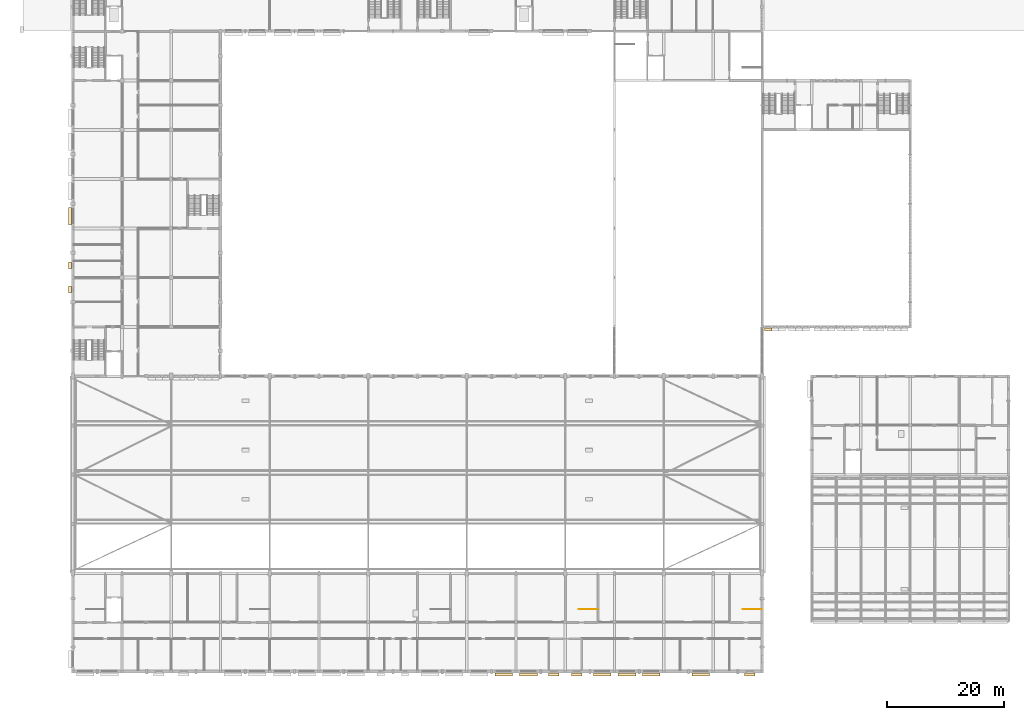
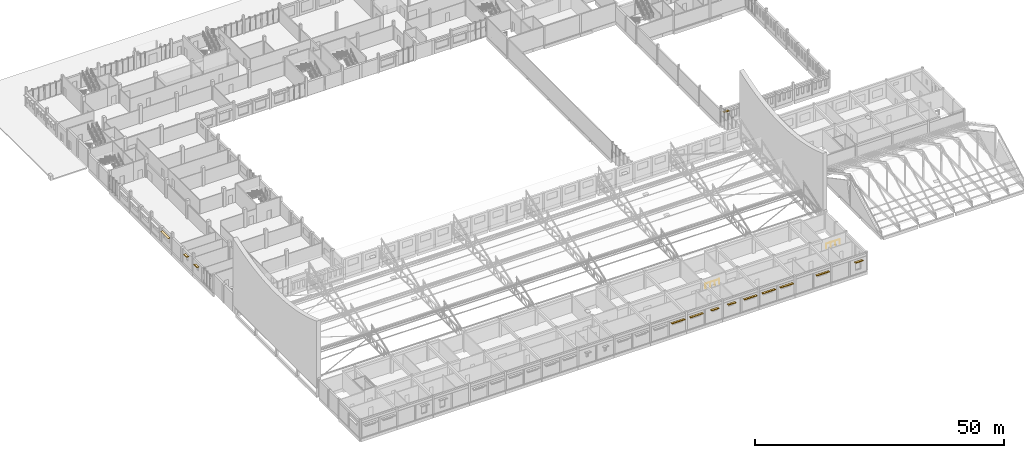
# One storey, part 94 of 101: 13 coverings, 2 railings.
"""IFC4 building model written with IfcOpenShell, lengths in metres."""

from ifc_helpers import new_model, si_unit, direction, frame, origin, origin_2d, place, context, subcontext, project, spatial, rectangle, circle, extrude, material, layer, layer_set, type_object, element, save


model = new_model("IFC4")

# Units and contexts
model_context = context("Model", 3, precision=1e-05, world=origin(), true_north=direction((0.0, 1.0)))
body_context = subcontext(model_context, "Body", "Model", "MODEL_VIEW")
ifc_project = project(units=[si_unit("LENGTHUNIT", "METRE"), si_unit("AREAUNIT", "SQUARE_METRE"), si_unit("VOLUMEUNIT", "CUBIC_METRE"), si_unit("PLANEANGLEUNIT", "RADIAN"), si_unit("MASSUNIT", "GRAM", prefix="KILO")], contexts=[model_context])

# Site, building, storey
site_placement = place(None, origin())
site = spatial("IfcSite", under=ifc_project, at=site_placement, CompositionType="ELEMENT")
building_placement = place(site_placement, origin())
building = spatial("IfcBuilding", under=site, at=building_placement, Name="Fescue Hill Polytechnic", CompositionType="ELEMENT")
storey_placement = place(building_placement, frame((0.0, 0.0, 9.0)))
storey = spatial("IfcBuildingStorey", under=building, at=storey_placement, Name="L02", CompositionType="ELEMENT", Elevation=9.0)

# Coverings
ifc_material_1 = material(Name="Precast concrete C40/50", Category="concrete")
ifc_layer = layer(ifc_material_1, 0.080078125)
ifc_layer_set = layer_set([ifc_layer], Name="Precast concrete C40/50")
covering_type = type_object("IfcCoveringType", Name="Shade blade precast 500x80", PredefinedType="CLADDING", material=ifc_layer_set)
for number, where, z_axis, x_axis, name in (
    (1, (73.47509765625, -0.489990234375, 3.050048828125), (0.0, 0.0, 1.0), (1.0, 0.0, 0.0), "SB-L02-V1-17"),
    (2, (77.72509765625, -0.489990234375, 3.050048828125), (0.0, 0.0, 1.0), (1.0, 0.0, 0.0), "SB-L02-V1-18"),
):
    element("IfcCovering", number, at=place(storey_placement, frame(where, z_axis=z_axis, x_axis=x_axis)), inside=storey, type_object=covering_type, Name=name, PredefinedType="CLADDING", context=body_context, shape_type="SweptSolid", body=[
        extrude(rectangle(XDim=3.0, YDim=0.5, at=origin_2d()), origin(), (0.0, 0.0, 1.0), 0.080078125),
    ])
for number, where, z_axis, x_axis, name in (
    (3, (82.050048828125, -0.489990234375, 3.050048828125), (0.0, 0.0, 1.0), (1.0, 0.0, 0.0), "SB-L02-V1-19"),
    (4, (85.949951171875, -0.489990234375, 3.050048828125), (0.0, 0.0, 1.0), (1.0, 0.0, 0.0), "SB-L02-V1-20"),
):
    element("IfcCovering", number, at=place(storey_placement, frame(where, z_axis=z_axis, x_axis=x_axis)), inside=storey, type_object=covering_type, Name=name, PredefinedType="CLADDING", context=body_context, shape_type="SweptSolid", body=[
        extrude(rectangle(XDim=1.800048828125, YDim=0.5, at=origin_2d()), origin(), (0.0, 0.0, 1.0), 0.080078125),
    ])
for number, where, z_axis, x_axis, name in (
    (5, (90.27490234375, -0.489990234375, 3.050048828125), (0.0, 0.0, 1.0), (1.0, 0.0, 0.0), "SB-L02-V1-21"),
    (6, (94.52490234375, -0.489990234375, 3.050048828125), (0.0, 0.0, 1.0), (1.0, 0.0, 0.0), "SB-L02-V1-22"),
    (7, (98.675048828125, -0.489990234375, 3.050048828125), (0.0, 0.0, 1.0), (1.0, 0.0, 0.0), "SB-L02-V1-23"),
    (8, (107.074951171875, -0.489990234375, 3.050048828125), (0.0, 0.0, 1.0), (1.0, 0.0, 0.0), "SB-L02-V1-24"),
):
    element("IfcCovering", number, at=place(storey_placement, frame(where, z_axis=z_axis, x_axis=x_axis)), inside=storey, type_object=covering_type, Name=name, PredefinedType="CLADDING", context=body_context, shape_type="SweptSolid", body=[
        extrude(rectangle(XDim=3.0, YDim=0.5, at=origin_2d()), origin(), (0.0, 0.0, 1.0), 0.080078125),
    ])
covering_1_placement = place(storey_placement, frame((115.47509765625, -0.489990234375, 3.050048828125), z_axis=(0.0, 0.0, 1.0), x_axis=(1.0, 0.0, 0.0)))
element("IfcCovering", 9, at=covering_1_placement, inside=storey, type_object=covering_type, Name="SB-L02-V1-25", PredefinedType="CLADDING", context=body_context, shape_type="SweptSolid", body=[
    extrude(rectangle(XDim=1.800048828125, YDim=0.5, at=origin_2d()), origin(), (0.0, 0.0, 1.0), 0.080078125),
])
covering_2_placement = place(storey_placement, frame((-0.43994140625, 77.66259765625, 2.75), z_axis=(0.0, 0.0, 1.0), x_axis=(0.0, -1.0, 0.0)))
element("IfcCovering", 10, at=covering_2_placement, inside=storey, type_object=covering_type, Name="SB-L02-V4-5", PredefinedType="CLADDING", context=body_context, shape_type="SweptSolid", body=[
    extrude(rectangle(XDim=3.0, YDim=0.5, at=origin_2d()), origin(), (0.0, 0.0, 1.0), 0.080078125),
])
for number, where, z_axis, x_axis, name in (
    (11, (-0.43994140625, 69.262451171875, 2.75), (0.0, 0.0, 1.0), (0.0, -1.0, 0.0), "SB-L02-V4-6"),
    (12, (-0.43994140625, 65.137451171875, 2.75), (0.0, 0.0, 1.0), (0.0, -1.0, 0.0), "SB-L02-V4-7"),
    (13, (118.570068359375, 58.324951171875, 3.14990234375), (0.0, 0.0, 1.0), (1.0, 0.0, 0.0), "SB-L02-V2-1"),
):
    element("IfcCovering", number, at=place(storey_placement, frame(where, z_axis=z_axis, x_axis=x_axis)), inside=storey, type_object=covering_type, Name=name, PredefinedType="CLADDING", context=body_context, shape_type="SweptSolid", body=[
        extrude(rectangle(XDim=1.199951171875, YDim=0.5, at=origin_2d()), origin(), (0.0, 0.0, 1.0), 0.080078125),
    ])

# Railings
ifc_material_2 = material(Name="Steel 350W (350 MPa)", Category="steel")
railing_type = type_object("IfcRailingType", Name="Stair guard steel 1100", PredefinedType="GUARDRAIL", material=ifc_material_2)
railing_1_placement = place(storey_placement, frame((89.47509765625, 10.625, 0.0)))
element("IfcRailing", 14, at=railing_1_placement, inside=storey, type_object=railing_type, Name="L02 ST-V1-4 well guard 1", PredefinedType="GUARDRAIL", context=body_context, shape_type="SweptSolid", body=[
    extrude(circle(Radius=0.02392578125, at=origin_2d()), frame((0.0, 0.0, 1.076171875), z_axis=(-1.0, 0.0, 0.0), x_axis=(0.0, -1.0, 0.0)), (0.0, 0.0, 1.0), 3.2001953125),
    extrude(circle(Radius=0.02099609375, at=origin_2d()), origin(), (0.0, 0.0, 1.0), 1.052001953125),
    extrude(circle(Radius=0.02099609375, at=origin_2d()), frame((-1.066650390625, 0.0, 0.0)), (0.0, 0.0, 1.0), 1.052001953125),
    extrude(circle(Radius=0.02099609375, at=origin_2d()), frame((-2.133544921875, 0.0, 0.0)), (0.0, 0.0, 1.0), 1.052001953125),
    extrude(circle(Radius=0.02099609375, at=origin_2d()), frame((-3.2001953125, 0.0, 0.0)), (0.0, 0.0, 1.0), 1.052001953125),
])
railing_2_placement = place(storey_placement, frame((117.449951171875, 10.625, 0.0)))
element("IfcRailing", 15, at=railing_2_placement, inside=storey, type_object=railing_type, Name="L02 ST-V1-10 well guard 1", PredefinedType="GUARDRAIL", context=body_context, shape_type="SweptSolid", body=[
    extrude(circle(Radius=0.02392578125, at=origin_2d()), frame((0.0, 0.0, 1.076171875), z_axis=(-1.0, 0.0, 0.0), x_axis=(0.0, -1.0, 0.0)), (0.0, 0.0, 1.0), 3.175048828125),
    extrude(circle(Radius=0.02099609375, at=origin_2d()), origin(), (0.0, 0.0, 1.0), 1.052001953125),
    extrude(circle(Radius=0.02099609375, at=origin_2d()), frame((-1.058349609375, 0.0, 0.0)), (0.0, 0.0, 1.0), 1.052001953125),
    extrude(circle(Radius=0.02099609375, at=origin_2d()), frame((-2.11669921875, 0.0, 0.0)), (0.0, 0.0, 1.0), 1.052001953125),
    extrude(circle(Radius=0.02099609375, at=origin_2d()), frame((-3.175048828125, 0.0, 0.0)), (0.0, 0.0, 1.0), 1.052001953125),
])

save(model, "model.ifc")
